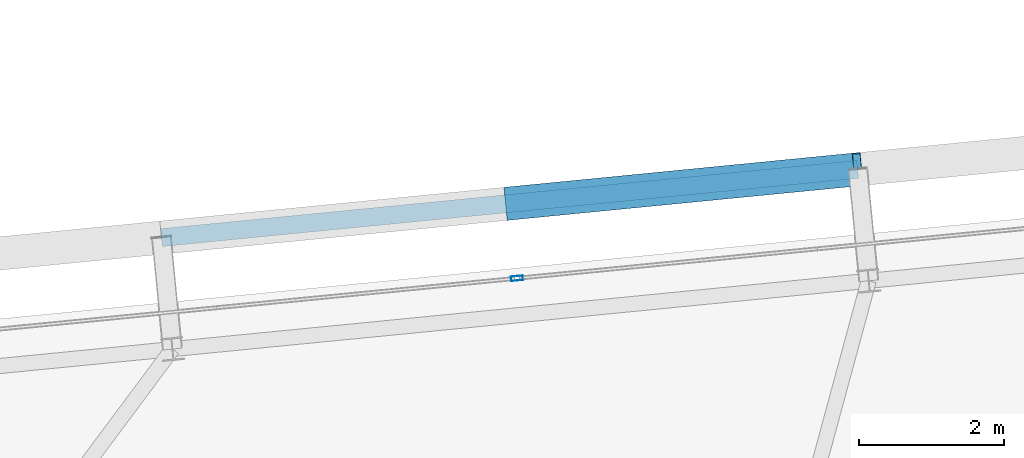
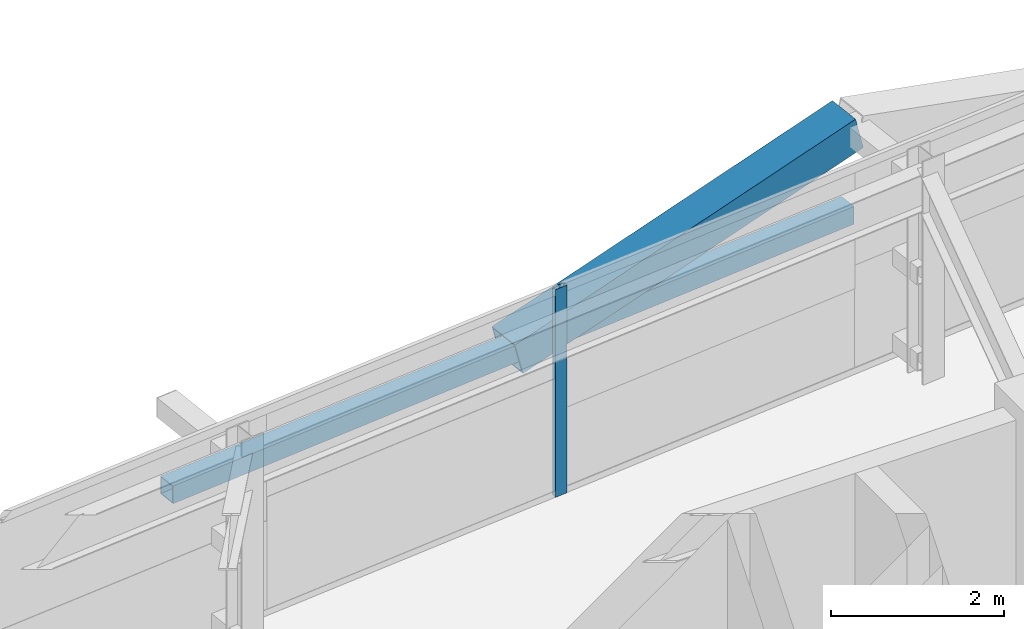
# One storey, part 27 of 47: 3 members, 1 element without a shape of its own.
"""IFC4 building model written with IfcOpenShell, lengths in metres."""

import ifcopenshell
import ifcopenshell.guid

model = None  # the IFC model being written
_history = None  # IfcOwnerHistory: only IFC2X3 demands one
_inside = {}  # id of a spatial element -> (the spatial element, [elements in it])
_under = {}  # id of a project, library or spatial element -> (it, [spatial elements below it])
_declared = {}  # id of a project -> (the project, [libraries it declares])
_typed = {}  # id of a type object -> (the type object, [elements of that type])
_made_of = {}  # id of a material, layer set ... -> (it, [elements and type objects made of it])


def new_model(schema):
    """Start an empty IFC model of exactly this schema.

    Asked for "IFC4X3", IfcOpenShell would pick the latest addendum, in which some entities
    have other attributes; the version numbers below select the first issue.
    IFC2X3 requires an IfcOwnerHistory on every rooted entity: one is made here for all.
    """
    global model, _history
    if schema == "IFC4X3":
        model = ifcopenshell.file(schema_version=(4, 3, 0, 0))
    else:
        model = ifcopenshell.file(schema=schema)
    _inside.clear()
    _under.clear()
    _declared.clear()
    _typed.clear()
    _made_of.clear()
    _history = None
    if model.schema == "IFC2X3":
        org = make("IfcOrganization", Name="unknown")
        user = make(
            "IfcPersonAndOrganization",
            ThePerson=make("IfcPerson", FamilyName="unknown"),
            TheOrganization=org,
        )
        app = make(
            "IfcApplication",
            ApplicationDeveloper=org,
            Version="unknown",
            ApplicationFullName="unknown",
            ApplicationIdentifier="unknown",
        )
        _history = make(
            "IfcOwnerHistory",
            OwningUser=user,
            OwningApplication=app,
            ChangeAction="ADDED",
            CreationDate=0,
        )
    return model


def make(cls, **values):
    """One entity of the class cls with the attributes given. An attribute that is None is left unset."""
    return model.create_entity(
        cls, **{name: value for name, value in values.items() if value is not None}
    )


def rooted(cls, **values):
    """An entity with a GlobalId (a new one), such as an element, a storey or a relation."""
    return make(cls, GlobalId=ifcopenshell.guid.new(), OwnerHistory=_history, **values)


def si_unit(unit_type, name, prefix=None):
    """IfcSIUnit, for example si_unit("LENGTHUNIT", "METRE", prefix="MILLI")."""
    return make("IfcSIUnit", UnitType=unit_type, Prefix=prefix, Name=name)


def assignment(units):
    """IfcUnitAssignment: the units of a project."""
    return None if units is None else make("IfcUnitAssignment", Units=units)


def point(xyz):
    """IfcCartesianPoint."""
    return None if xyz is None else make("IfcCartesianPoint", Coordinates=xyz)


def direction(xyz):
    """IfcDirection."""
    return None if xyz is None else make("IfcDirection", DirectionRatios=xyz)


def frame(location, z_axis=None, x_axis=None):
    """IfcAxis2Placement3D, a coordinate frame: its origin and axes. An axis left out is left unset."""
    return make(
        "IfcAxis2Placement3D",
        Location=point(location),
        Axis=direction(z_axis),
        RefDirection=direction(x_axis),
    )


def frame_2d(location, x_axis=None):
    """IfcAxis2Placement2D, a coordinate frame in the plane: its origin and x axis."""
    return make(
        "IfcAxis2Placement2D", Location=point(location), RefDirection=direction(x_axis)
    )


def origin():
    """The frame at (0, 0, 0) with its axes left unset."""
    return frame((0.0, 0.0, 0.0))


def origin_2d():
    """The frame at (0, 0) in the plane with its x axis left unset."""
    return frame_2d((0.0, 0.0))


def place(relative_to, where):
    """IfcLocalPlacement: puts the frame where relative to a parent placement (None: the world)."""
    return make(
        "IfcLocalPlacement", PlacementRelTo=relative_to, RelativePlacement=where
    )


def context(
    kind, dimensions, precision=None, world=None, true_north=None, identifier=None
):
    """IfcGeometricRepresentationContext, for example the 3D "Model" context."""
    return make(
        "IfcGeometricRepresentationContext",
        ContextIdentifier=identifier,
        ContextType=kind,
        CoordinateSpaceDimension=dimensions,
        Precision=precision,
        WorldCoordinateSystem=world,
        TrueNorth=true_north,
    )


def subcontext(parent, identifier, kind, view, scale=None):
    """IfcGeometricRepresentationSubContext, for example "Body" below "Model"."""
    return make(
        "IfcGeometricRepresentationSubContext",
        ContextIdentifier=identifier,
        ContextType=kind,
        ParentContext=parent,
        TargetScale=scale,
        TargetView=view,
    )


def project(units=None, contexts=None):
    """IfcProject with its units and contexts."""
    return rooted(
        "IfcProject",
        Name="project",
        RepresentationContexts=contexts,
        UnitsInContext=assignment(units),
    )


def spatial(cls, under=None, at=None, **own):
    """A site, building, storey or space (cls), placed at a placement, below another one or the project."""
    s = rooted(cls, ObjectPlacement=at, **own)
    if under is not None:
        _under.setdefault(under.id(), (under, []))[1].append(s)
    return s


def profile(cls, at=None, kind="AREA", **sizes):
    """A parametric profile (cls). Its sizes go by their IFC names, for example OverallWidth=200.0."""
    return make(cls, ProfileType=kind, Position=at, **sizes)


def hollow_rectangle(**sizes):
    """IfcRectangleHollowProfileDef."""
    return profile("IfcRectangleHollowProfileDef", **sizes)


def extrude(swept, where, along, depth):
    """IfcExtrudedAreaSolid: the profile swept, set in the frame where, extruded along a direction by depth."""
    return make(
        "IfcExtrudedAreaSolid",
        SweptArea=swept,
        Position=where,
        ExtrudedDirection=direction(along),
        Depth=depth,
    )


def shape(context_of_items, identifier, shape_type, items):
    """IfcShapeRepresentation: the items that make up one representation, for example the "Body"."""
    return make(
        "IfcShapeRepresentation",
        ContextOfItems=context_of_items,
        RepresentationIdentifier=identifier,
        RepresentationType=shape_type,
        Items=items,
    )


def source(mapping_origin, context_of_items, identifier, shape_type, items):
    """IfcRepresentationMap: a shape defined once, which mapped items show again and again."""
    return make(
        "IfcRepresentationMap",
        MappingOrigin=mapping_origin,
        MappedRepresentation=shape(context_of_items, identifier, shape_type, items),
    )


def transform(
    local_origin,
    x_axis=None,
    y_axis=None,
    z_axis=None,
    scale=None,
    scale2=None,
    scale3=None,
    uniform=True,
):
    """IfcCartesianTransformationOperator3D, or its non-uniform kind. x_axis, y_axis, z_axis: its Axis1, 2, 3."""
    if uniform:
        return make(
            "IfcCartesianTransformationOperator3D",
            Axis1=direction(x_axis),
            Axis2=direction(y_axis),
            LocalOrigin=point(local_origin),
            Scale=scale,
            Axis3=direction(z_axis),
        )
    return make(
        "IfcCartesianTransformationOperator3DnonUniform",
        Axis1=direction(x_axis),
        Axis2=direction(y_axis),
        LocalOrigin=point(local_origin),
        Scale=scale,
        Axis3=direction(z_axis),
        Scale2=scale2,
        Scale3=scale3,
    )


def mapped(mapping_source, mapping_target):
    """IfcMappedItem: shows the shape of a source again, moved by a transform."""
    return make(
        "IfcMappedItem", MappingSource=mapping_source, MappingTarget=mapping_target
    )


def material(Name=None, Category=None):
    """IfcMaterial."""
    return make("IfcMaterial", Name=Name, Category=Category)


def layer(
    of_material, thickness, ventilated=None, Name=None, Category=None, Priority=None
):
    """IfcMaterialLayer: one layer of a wall or slab, of a material (None: an air gap)."""
    return make(
        "IfcMaterialLayer",
        Material=of_material,
        LayerThickness=thickness,
        IsVentilated=ventilated,
        Name=Name,
        Category=Category,
        Priority=Priority,
    )


def layer_set(layers, Name=None):
    """IfcMaterialLayerSet."""
    return make("IfcMaterialLayerSet", MaterialLayers=layers, LayerSetName=Name)


def material_profile(
    of_material, cross_section, Name=None, Category=None, Priority=None
):
    """IfcMaterialProfile: a cross section and its material."""
    return make(
        "IfcMaterialProfile",
        Name=Name,
        Material=of_material,
        Profile=cross_section,
        Priority=Priority,
        Category=Category,
    )


def profile_set(profiles, Name=None, composite=None):
    """IfcMaterialProfileSet."""
    return make(
        "IfcMaterialProfileSet",
        Name=Name,
        MaterialProfiles=profiles,
        CompositeProfile=composite,
    )


def made_of(thing, what):
    """Note that an element or type object is made of a material, layer set ...; save() writes the relation."""
    if what is not None:
        _made_of.setdefault(what.id(), (what, []))[1].append(thing)
    return thing


def type_object(cls, material=None, **own):
    """A type object (cls), such as IfcWallType, which elements share."""
    return made_of(rooted(cls, **own), material)


def element(
    cls,
    number,
    at=None,
    inside=None,
    cuts=None,
    type_object=None,
    material=None,
    context=None,
    identifier="Body",
    shape_type=None,
    held_by="IfcProductDefinitionShape",
    body=None,
    shapes=None,
    **own,
):
    """One element of the class cls, such as IfcWall. Its Tag is "e" and its number.

    at: its placement. inside: the storey or other place that contains it. cuts: it is an
    opening in that element (IfcRelVoidsElement). A single representation is given by context,
    identifier, shape_type and body (its items); several are given by shapes. held_by: the class
    of the entity that holds the representations. save() writes the other relations.
    """
    e = rooted(cls, Tag="e%d" % number, ObjectPlacement=at, **own)
    if body is not None:
        shapes = [shape(context, identifier, shape_type, body)]
    if shapes is not None:
        e.Representation = make(held_by, Representations=shapes)
    if inside is not None:
        _inside.setdefault(inside.id(), (inside, []))[1].append(e)
    if cuts is not None:
        rooted(
            "IfcRelVoidsElement", RelatingBuildingElement=cuts, RelatedOpeningElement=e
        )
    if type_object is not None:
        _typed.setdefault(type_object.id(), (type_object, []))[1].append(e)
    return made_of(e, material)


def aggregate(whole, parts):
    """IfcRelAggregates: a whole, such as a stair, and the parts it consists of."""
    return rooted("IfcRelAggregates", RelatingObject=whole, RelatedObjects=parts)


def save(model, path):
    """Write the relations noted so far, then the file.

    IfcRelAggregates (storeys below a building ...), IfcRelContainedInSpatialStructure (elements
    in a storey), IfcRelDefinesByType, IfcRelAssociatesMaterial and IfcRelDeclares: one each for
    every whole, place, type object, material and project.
    """
    for whole, parts in _under.values():
        aggregate(whole, parts)
    for where, things in _inside.values():
        rooted(
            "IfcRelContainedInSpatialStructure",
            RelatedElements=things,
            RelatingStructure=where,
        )
    for kind, things in _typed.values():
        rooted("IfcRelDefinesByType", RelatedObjects=things, RelatingType=kind)
    for what, things in _made_of.values():
        rooted("IfcRelAssociatesMaterial", RelatedObjects=things, RelatingMaterial=what)
    for by, libraries in _declared.values():
        rooted("IfcRelDeclares", RelatingContext=by, RelatedDefinitions=libraries)
    model.write(path)


model = new_model("IFC4")

# Units and contexts
model_context = context("Model", 3, precision=1e-05, world=origin(), true_north=direction((0.0, 1.0)))
body_context = subcontext(model_context, "Body", "Model", "MODEL_VIEW")
ifc_project = project(units=[si_unit("LENGTHUNIT", "METRE"), si_unit("AREAUNIT", "SQUARE_METRE"), si_unit("VOLUMEUNIT", "CUBIC_METRE"), si_unit("PLANEANGLEUNIT", "RADIAN"), si_unit("MASSUNIT", "GRAM", prefix="KILO")], contexts=[model_context])

# Site, building, storey
site_placement = place(None, origin())
site = spatial("IfcSite", under=ifc_project, at=site_placement, CompositionType="ELEMENT")
building_placement = place(site_placement, origin())
building = spatial("IfcBuilding", under=site, at=building_placement, Name="Taldren Reach Tower", CompositionType="ELEMENT")
storey_placement = place(building_placement, frame((0.0, 0.0, 87.14990234375)))
storey = spatial("IfcBuildingStorey", under=building, at=storey_placement, Name="L26", CompositionType="ELEMENT", Elevation=87.14990234375)

# Members
ifc_material_1 = material(Name="Steel Gr 450 (C450L0)", Category="steel")
ifc_material_profile_1 = material_profile(ifc_material_1, hollow_rectangle(XDim=0.4599609375, YDim=0.4599609375, WallThickness=0.01611328125, at=origin_2d()), Name="460x460x16.0SHS")
ifc_profile_set_1 = profile_set([ifc_material_profile_1], Name="Steel Gr 450 (C450L0)")
member_type_1 = type_object("IfcMemberType", Name="MB-EXO457", PredefinedType="BRACE", material=ifc_profile_set_1)
shared_shape_1 = source(origin(), body_context, "Body", "SweptSolid", [
    extrude(hollow_rectangle(XDim=0.4599609375, YDim=0.4599609375, WallThickness=0.01611328125, at=origin_2d()), origin(), (0.0, 0.0, 1.0), 4.990234375),
])
member_1_placement = place(storey_placement, frame((35.530029296875, 37.861083984375, 1.43505859375), z_axis=(0.965275526283, 0.094619506732, 0.243496010862), x_axis=(-0.097555749586, 0.995230061706, 0.0)))
element("IfcMember", 1, at=member_1_placement, inside=storey, type_object=member_type_1, Name="Exoskeleton Diagrid Brace B2-N3 L26", PredefinedType="BRACE", context=body_context, shape_type="MappedRepresentation", body=[
    mapped(shared_shape_1, transform((0.0, 0.0, 0.0), scale=1.0)),
])
ifc_material_2 = material(Name="Steel Gr 350 (C350L0)", Category="steel")
ifc_material_profile_2 = material_profile(ifc_material_2, hollow_rectangle(XDim=0.25, YDim=0.25, WallThickness=0.010009765625, at=origin_2d()), Name="250x250x10.0SHS")
ifc_profile_set_2 = profile_set([ifc_material_profile_2], Name="Steel Gr 350 (C350L0)")
member_type_2 = type_object("IfcMemberType", Name="MB-POST250", PredefinedType="POST", material=ifc_profile_set_2)
shared_shape_2 = source(origin(), body_context, "Body", "SweptSolid", [
    extrude(hollow_rectangle(XDim=0.25, YDim=0.25, WallThickness=0.010009765625, at=origin_2d()), origin(), (0.0, 0.0, 1.0), 9.679931640625),
])
member_2_placement = place(storey_placement, frame((30.713134765625, 37.388671875, 1.43505859375), z_axis=(0.995227612658, 0.097580730699, 0.0), x_axis=(-0.097580730699, 0.995227612658, 0.0)))
element("IfcMember", 2, at=member_2_placement, inside=storey, type_object=member_type_2, Name="Exoskeleton mid-height ring chord B2-N3 L26", PredefinedType="POST", context=body_context, shape_type="MappedRepresentation", body=[
    mapped(shared_shape_2, transform((0.0, 0.0, 0.0), scale=1.0)),
])

# Curtain wall, member
ifc_material_3 = material(Name="Aluminium and Low-E Glass Unitised System", Category="aluminium")
ifc_layer = layer(ifc_material_3, 0.159912109375)
ifc_layer_set = layer_set([ifc_layer], Name="Aluminium and Low-E Glass Unitised System")
curtain_wall_type = type_object("IfcCurtainWallType", Name="CW-SYS-3", PredefinedType="NOTDEFINED", material=ifc_layer_set)
curtain_wall_placement = place(storey_placement, origin())
curtain_wall = element("IfcCurtainWall", 3, at=curtain_wall_placement, inside=storey, type_object=curtain_wall_type, Name="Unitised curtain wall CW-L26-N", PredefinedType="NOTDEFINED")
ifc_material_4 = material(Name="Anodised Aluminium 6063-T6", Category="aluminium")
ifc_material_profile_3 = material_profile(ifc_material_4, hollow_rectangle(XDim=0.06494140625, YDim=0.1650390625, WallThickness=0.00390625, at=origin_2d()), Name="ALU-165x65x4RHS")
ifc_profile_set_3 = profile_set([ifc_material_profile_3], Name="Anodised Aluminium 6063-T6")
member_type_3 = type_object("IfcMemberType", Name="CW-MUL-165", PredefinedType="MULLION", material=ifc_profile_set_3)
shared_shape_3 = source(origin(), body_context, "Body", "SweptSolid", [
    extrude(hollow_rectangle(XDim=0.06494140625, YDim=0.1650390625, WallThickness=0.00390625, at=origin_2d()), origin(), (0.0, 0.0, 1.0), 2.93017578125),
])
member_3_placement = place(storey_placement, frame((35.631591796875, 36.825927734375, 0.0), z_axis=(0.0, 0.0, 1.0), x_axis=(0.097582999046, -0.995227390247, 0.0)))
member_3 = element("IfcMember", 4, at=member_3_placement, type_object=member_type_3, Name="CW-3 mullion 3", PredefinedType="MULLION", context=body_context, shape_type="MappedRepresentation", body=[
    mapped(shared_shape_3, transform((0.0, 0.0, 0.0), scale=1.0)),
])
aggregate(curtain_wall, [member_3])

save(model, "model.ifc")
